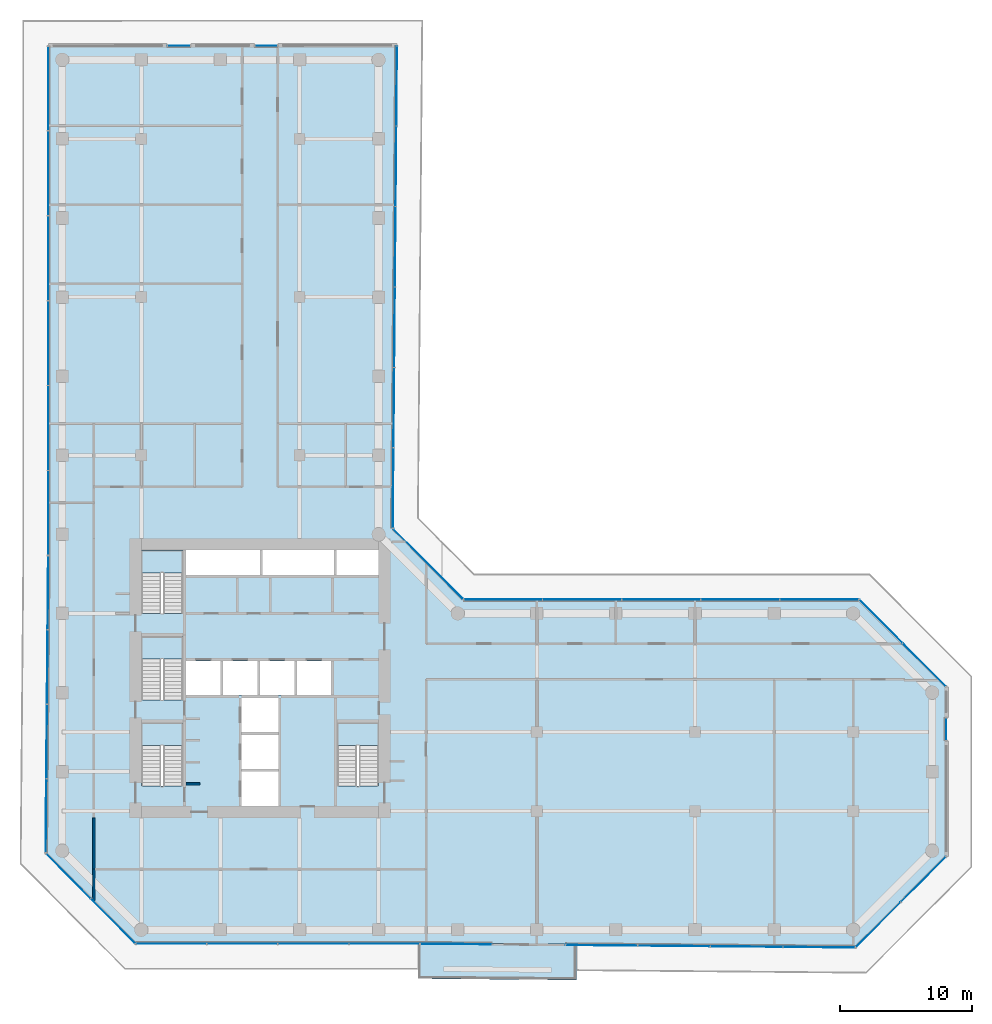
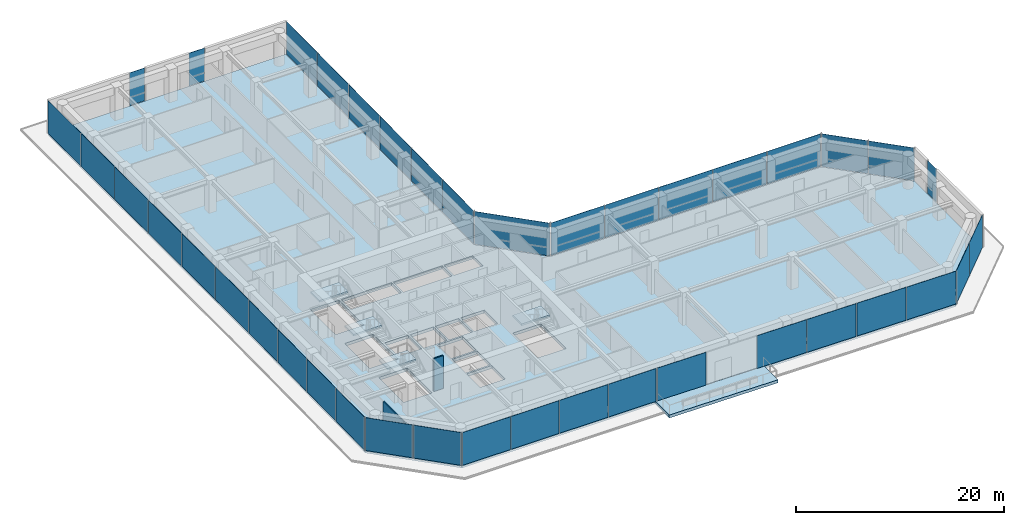
# One storey, part 22 of 29: 40 plates, 6 slabs, 3 walls, 18 elements without a shape of their own.
"""IFC4 building model written with IfcOpenShell, lengths in metres."""

from ifc_helpers import new_model, si_unit, direction, frame, frame_2d, origin, origin_2d, place, context, subcontext, project, spatial, polyline, rectangle, outline, extrude, material, layer, layer_set, type_object, element, aggregate, save


model = new_model("IFC4")

# Units and contexts
model_context = context("Model", 3, precision=1e-05, world=origin(), true_north=direction((0.0, 1.0)))
body_context = subcontext(model_context, "Body", "Model", "MODEL_VIEW")
ifc_project = project(units=[si_unit("LENGTHUNIT", "METRE"), si_unit("AREAUNIT", "SQUARE_METRE"), si_unit("VOLUMEUNIT", "CUBIC_METRE"), si_unit("PLANEANGLEUNIT", "RADIAN"), si_unit("MASSUNIT", "GRAM", prefix="KILO")], contexts=[model_context])

# Site, building, storey
site_placement = place(None, origin())
site = spatial("IfcSite", under=ifc_project, at=site_placement, CompositionType="ELEMENT")
building_placement = place(site_placement, origin())
building = spatial("IfcBuilding", under=site, at=building_placement, Name="Welwitschia Terrace Campus", CompositionType="ELEMENT")
storey_placement = place(building_placement, frame((0.0, 0.0, 50.0)))
storey = spatial("IfcBuildingStorey", under=building, at=storey_placement, Name="L11", CompositionType="ELEMENT", Elevation=50.0)

# Curtain wall, plates
ifc_material_1 = material(Name="Bronze anodised aluminium", Category="aluminium")
ifc_layer_1 = layer(ifc_material_1, 0.1201171875)
ifc_layer_set_1 = layer_set([ifc_layer_1], Name="Bronze anodised aluminium")
curtain_wall_type = type_object("IfcCurtainWallType", Name="Curtain wall CW2 tower 6000", PredefinedType="NOTDEFINED", material=ifc_layer_set_1)
curtain_wall_1_placement = place(storey_placement, origin())
curtain_wall_1 = element("IfcCurtainWall", 1, at=curtain_wall_1_placement, inside=storey, type_object=curtain_wall_type, Name="CW L11.0.0", PredefinedType="NOTDEFINED")
ifc_material_2 = material(Name="Tinted bronze-grey glass", Category="glass")
ifc_layer_2 = layer(ifc_material_2, 0.028076171875)
ifc_layer_set_2 = layer_set([ifc_layer_2], Name="Tinted bronze-grey glass")
plate_type = type_object("IfcPlateType", Name="Glass panel 28 tinted", PredefinedType="CURTAIN_PANEL", material=ifc_layer_set_2)
plate_1_placement = place(storey_placement, frame((0.45947265625, 0.08203125, 0.0), z_axis=(0.0, 0.0, 1.0), x_axis=(0.704477287326, -0.709726532998, 0.0)))
plate_1 = element("IfcPlate", 2, at=plate_1_placement, type_object=plate_type, Name="Panel L11.0.0.0", PredefinedType="CURTAIN_PANEL", context=body_context, shape_type="SweptSolid", body=[
    extrude(rectangle(XDim=4.748291015625, YDim=0.028076171875, at=origin_2d()), origin(), (0.0, 0.0, 1.0), 3.85009765625),
])
plate_2_placement = place(storey_placement, frame((3.846923828125, -3.330322265625, 0.0), z_axis=(0.0, 0.0, 1.0), x_axis=(0.704477287326, -0.709726532998, 0.0)))
plate_2 = element("IfcPlate", 3, at=plate_2_placement, type_object=plate_type, Name="Panel L11.0.0.1", PredefinedType="CURTAIN_PANEL", context=body_context, shape_type="SweptSolid", body=[
    extrude(rectangle(XDim=4.748291015625, YDim=0.028076171875, at=origin_2d()), origin(), (0.0, 0.0, 1.0), 3.85009765625),
])
aggregate(curtain_wall_1, [plate_1, plate_2])

curtain_wall_2_placement = place(storey_placement, origin())
curtain_wall_2 = element("IfcCurtainWall", 4, at=curtain_wall_2_placement, inside=storey, type_object=curtain_wall_type, Name="CW L11.1.0", PredefinedType="NOTDEFINED")
plate_3_placement = place(storey_placement, frame((8.27392578125, -5.05810546875, 0.0), z_axis=(0.0, 0.0, 1.0), x_axis=(1.0, 0.0, 0.0)))
plate_3 = element("IfcPlate", 5, at=plate_3_placement, type_object=plate_type, Name="Panel L11.1.0.0", PredefinedType="CURTAIN_PANEL", context=body_context, shape_type="SweptSolid", body=[
    extrude(rectangle(XDim=5.3046875, YDim=0.028076171875, at=origin_2d()), origin(), (0.0, 0.0, 1.0), 3.85009765625),
])
plate_4_placement = place(storey_placement, frame((13.65380859375, -5.05810546875, 0.0), z_axis=(0.0, 0.0, 1.0), x_axis=(1.0, 0.0, 0.0)))
plate_4 = element("IfcPlate", 6, at=plate_4_placement, type_object=plate_type, Name="Panel L11.1.0.1", PredefinedType="CURTAIN_PANEL", context=body_context, shape_type="SweptSolid", body=[
    extrude(rectangle(XDim=5.334716796875, YDim=0.028076171875, at=origin_2d()), origin(), (0.0, 0.0, 1.0), 3.85009765625),
])
plate_5_placement = place(storey_placement, frame((19.04833984375, -5.05810546875, 0.0), z_axis=(0.0, 0.0, 1.0), x_axis=(1.0, 0.0, 0.0)))
plate_5 = element("IfcPlate", 7, at=plate_5_placement, type_object=plate_type, Name="Panel L11.1.0.2", PredefinedType="CURTAIN_PANEL", context=body_context, shape_type="SweptSolid", body=[
    extrude(rectangle(XDim=5.334716796875, YDim=0.028076171875, at=origin_2d()), origin(), (0.0, 0.0, 1.0), 3.85009765625),
])
plate_6_placement = place(storey_placement, frame((24.42822265625, -5.05810546875, 0.0), z_axis=(0.0, 0.0, 1.0), x_axis=(1.0, 0.0, 0.0)))
plate_6 = element("IfcPlate", 8, at=plate_6_placement, type_object=plate_type, Name="Panel L11.1.0.3", PredefinedType="CURTAIN_PANEL", context=body_context, shape_type="SweptSolid", body=[
    extrude(rectangle(XDim=5.3046875, YDim=0.028076171875, at=origin_2d()), origin(), (0.0, 0.0, 1.0), 3.85009765625),
])
aggregate(curtain_wall_2, [plate_3, plate_4, plate_5, plate_6])

# Curtain wall, plate
curtain_wall_3_placement = place(storey_placement, origin())
curtain_wall_3 = element("IfcCurtainWall", 9, at=curtain_wall_3_placement, inside=storey, type_object=curtain_wall_type, Name="CW L11.2.0", PredefinedType="NOTDEFINED")
plate_7_placement = place(storey_placement, frame((29.893798828125, -5.08203125, 0.0), z_axis=(0.0, 0.0, 1.0), x_axis=(0.999961923064, -0.008726535498, 0.0)))
plate_7 = element("IfcPlate", 10, at=plate_7_placement, type_object=plate_type, Name="Panel L11.2.0.0", PredefinedType="CURTAIN_PANEL", context=body_context, shape_type="SweptSolid", body=[
    extrude(rectangle(XDim=5.386962890625, YDim=0.028076171875, at=origin_2d()), origin(), (0.0, 0.0, 1.0), 3.85009765625),
])
aggregate(curtain_wall_3, [plate_7])

# Curtain wall, plates
curtain_wall_4_placement = place(storey_placement, origin())
curtain_wall_4 = element("IfcCurtainWall", 11, at=curtain_wall_4_placement, inside=storey, type_object=curtain_wall_type, Name="CW L11.2.2", PredefinedType="NOTDEFINED")
plate_8_placement = place(storey_placement, frame((40.92236328125, -5.17822265625, 0.0), z_axis=(0.0, 0.0, 1.0), x_axis=(0.999961923064, -0.008726535498, 0.0)))
plate_8 = element("IfcPlate", 12, at=plate_8_placement, type_object=plate_type, Name="Panel L11.2.2.0", PredefinedType="CURTAIN_PANEL", context=body_context, shape_type="SweptSolid", body=[
    extrude(rectangle(XDim=5.4169921875, YDim=0.028076171875, at=origin_2d()), origin(), (0.0, 0.0, 1.0), 3.85009765625),
])
plate_9_placement = place(storey_placement, frame((46.414306640625, -5.226318359375, 0.0), z_axis=(0.0, 0.0, 1.0), x_axis=(0.999961923064, -0.008726535498, 0.0)))
plate_9 = element("IfcPlate", 13, at=plate_9_placement, type_object=plate_type, Name="Panel L11.2.2.1", PredefinedType="CURTAIN_PANEL", context=body_context, shape_type="SweptSolid", body=[
    extrude(rectangle(XDim=5.447021484375, YDim=0.028076171875, at=origin_2d()), origin(), (0.0, 0.0, 1.0), 3.85009765625),
])
plate_10_placement = place(storey_placement, frame((51.921142578125, -5.274169921875, 0.0), z_axis=(0.0, 0.0, 1.0), x_axis=(0.999961923064, -0.008726535498, 0.0)))
plate_10 = element("IfcPlate", 14, at=plate_10_placement, type_object=plate_type, Name="Panel L11.2.2.2", PredefinedType="CURTAIN_PANEL", context=body_context, shape_type="SweptSolid", body=[
    extrude(rectangle(XDim=5.447021484375, YDim=0.028076171875, at=origin_2d()), origin(), (0.0, 0.0, 1.0), 3.85009765625),
])
plate_11_placement = place(storey_placement, frame((57.412841796875, -5.322265625, 0.0), z_axis=(0.0, 0.0, 1.0), x_axis=(0.999961923064, -0.008726535498, 0.0)))
plate_11 = element("IfcPlate", 15, at=plate_11_placement, type_object=plate_type, Name="Panel L11.2.2.3", PredefinedType="CURTAIN_PANEL", context=body_context, shape_type="SweptSolid", body=[
    extrude(rectangle(XDim=5.4169921875, YDim=0.028076171875, at=origin_2d()), origin(), (0.0, 0.0, 1.0), 3.85009765625),
])
aggregate(curtain_wall_4, [plate_8, plate_9, plate_10, plate_11])

curtain_wall_5_placement = place(storey_placement, origin())
curtain_wall_5 = element("IfcCurtainWall", 16, at=curtain_wall_5_placement, inside=storey, type_object=curtain_wall_type, Name="CW L11.3.0", PredefinedType="NOTDEFINED")
plate_12_placement = place(storey_placement, frame((61.9111328125, -3.608642578125, 0.0), z_axis=(0.0, 0.0, 1.0), x_axis=(0.705490732488, 0.708719144918, 0.0)))
plate_12 = element("IfcPlate", 17, at=plate_12_placement, type_object=plate_type, Name="Panel L11.3.0.0", PredefinedType="CURTAIN_PANEL", context=body_context, shape_type="SweptSolid", body=[
    extrude(rectangle(XDim=4.78369140625, YDim=0.028076171875, at=origin_2d()), origin(), (0.0, 0.0, 1.0), 3.85009765625),
])
plate_13_placement = place(storey_placement, frame((65.328125, -0.17578125, 0.0), z_axis=(0.0, 0.0, 1.0), x_axis=(0.705490732488, 0.708719144918, 0.0)))
plate_13 = element("IfcPlate", 18, at=plate_13_placement, type_object=plate_type, Name="Panel L11.3.0.1", PredefinedType="CURTAIN_PANEL", context=body_context, shape_type="SweptSolid", body=[
    extrude(rectangle(XDim=4.78369140625, YDim=0.028076171875, at=origin_2d()), origin(), (0.0, 0.0, 1.0), 3.85009765625),
])
aggregate(curtain_wall_5, [plate_12, plate_13])

# Curtain wall, plate
curtain_wall_6_placement = place(storey_placement, origin())
curtain_wall_6 = element("IfcCurtainWall", 19, at=curtain_wall_6_placement, inside=storey, type_object=curtain_wall_type, Name="CW L11.4.S0", PredefinedType="NOTDEFINED")
plate_14_placement = place(storey_placement, frame((67.05810546875, 11.21923828125, 0.0), z_axis=(0.0, 0.0, 1.0), x_axis=(0.0, 1.0, 0.0)))
plate_14 = element("IfcPlate", 20, at=plate_14_placement, type_object=plate_type, Name="Panel L11.4.S0.0", PredefinedType="CURTAIN_PANEL", context=body_context, shape_type="SweptSolid", body=[
    extrude(rectangle(XDim=1.679931640625, YDim=0.028076171875, at=origin_2d()), origin(), (0.0, 0.0, 1.0), 3.85009765625),
])
aggregate(curtain_wall_6, [plate_14])

# Curtain wall, plates
curtain_wall_7_placement = place(storey_placement, origin())
curtain_wall_7 = element("IfcCurtainWall", 21, at=curtain_wall_7_placement, inside=storey, type_object=curtain_wall_type, Name="CW L11.5.0", PredefinedType="NOTDEFINED")
plate_15_placement = place(storey_placement, frame((65.392333984375, 16.103759765625, 0.0), z_axis=(0.0, 0.0, 1.0), x_axis=(-0.707106781187, 0.707106781187, 0.0)))
plate_15 = element("IfcPlate", 22, at=plate_15_placement, type_object=plate_type, Name="Panel L11.5.0.0", PredefinedType="CURTAIN_PANEL", context=body_context, shape_type="SweptSolid", body=[
    extrude(rectangle(XDim=4.5908203125, YDim=0.028076171875, at=origin_2d()), origin(), (0.0, 0.0, 1.0), 3.85009765625),
])
plate_16_placement = place(storey_placement, frame((62.103759765625, 19.392333984375, 0.0), z_axis=(0.0, 0.0, 1.0), x_axis=(-0.707106781187, 0.707106781187, 0.0)))
plate_16 = element("IfcPlate", 23, at=plate_16_placement, type_object=plate_type, Name="Panel L11.5.0.1", PredefinedType="CURTAIN_PANEL", context=body_context, shape_type="SweptSolid", body=[
    extrude(rectangle(XDim=4.5908203125, YDim=0.028076171875, at=origin_2d()), origin(), (0.0, 0.0, 1.0), 3.85009765625),
])
aggregate(curtain_wall_7, [plate_15, plate_16])

curtain_wall_8_placement = place(storey_placement, origin())
curtain_wall_8 = element("IfcCurtainWall", 24, at=curtain_wall_8_placement, inside=storey, type_object=curtain_wall_type, Name="CW L11.6.0", PredefinedType="NOTDEFINED")
plate_17_placement = place(storey_placement, frame((57.42333984375, 21.05810546875, 0.0), z_axis=(0.0, 0.0, 1.0), x_axis=(-1.0, 0.0, 0.0)))
plate_17 = element("IfcPlate", 25, at=plate_17_placement, type_object=plate_type, Name="Panel L11.6.0.0", PredefinedType="CURTAIN_PANEL", context=body_context, shape_type="SweptSolid", body=[
    extrude(rectangle(XDim=5.909912109375, YDim=0.028076171875, at=origin_2d()), origin(), (0.0, 0.0, 1.0), 3.85009765625),
])
plate_18_placement = place(storey_placement, frame((51.438232421875, 21.05810546875, 0.0), z_axis=(0.0, 0.0, 1.0), x_axis=(-1.0, 0.0, 0.0)))
plate_18 = element("IfcPlate", 26, at=plate_18_placement, type_object=plate_type, Name="Panel L11.6.0.1", PredefinedType="CURTAIN_PANEL", context=body_context, shape_type="SweptSolid", body=[
    extrude(rectangle(XDim=5.93994140625, YDim=0.028076171875, at=origin_2d()), origin(), (0.0, 0.0, 1.0), 3.85009765625),
])
plate_19_placement = place(storey_placement, frame((45.438232421875, 21.05810546875, 0.0), z_axis=(0.0, 0.0, 1.0), x_axis=(-1.0, 0.0, 0.0)))
plate_19 = element("IfcPlate", 27, at=plate_19_placement, type_object=plate_type, Name="Panel L11.6.0.2", PredefinedType="CURTAIN_PANEL", context=body_context, shape_type="SweptSolid", body=[
    extrude(rectangle(XDim=5.93994140625, YDim=0.028076171875, at=origin_2d()), origin(), (0.0, 0.0, 1.0), 3.85009765625),
])
plate_20_placement = place(storey_placement, frame((39.438232421875, 21.05810546875, 0.0), z_axis=(0.0, 0.0, 1.0), x_axis=(-1.0, 0.0, 0.0)))
plate_20 = element("IfcPlate", 28, at=plate_20_placement, type_object=plate_type, Name="Panel L11.6.0.3", PredefinedType="CURTAIN_PANEL", context=body_context, shape_type="SweptSolid", body=[
    extrude(rectangle(XDim=5.93994140625, YDim=0.028076171875, at=origin_2d()), origin(), (0.0, 0.0, 1.0), 3.85009765625),
])
plate_21_placement = place(storey_placement, frame((33.453369140625, 21.05810546875, 0.0), z_axis=(0.0, 0.0, 1.0), x_axis=(-1.0, 0.0, 0.0)))
plate_21 = element("IfcPlate", 29, at=plate_21_placement, type_object=plate_type, Name="Panel L11.6.0.4", PredefinedType="CURTAIN_PANEL", context=body_context, shape_type="SweptSolid", body=[
    extrude(rectangle(XDim=5.909912109375, YDim=0.028076171875, at=origin_2d()), origin(), (0.0, 0.0, 1.0), 3.85009765625),
])
aggregate(curtain_wall_8, [plate_17, plate_18, plate_19, plate_20, plate_21])

# Curtain wall, plate
curtain_wall_9_placement = place(storey_placement, origin())
curtain_wall_9 = element("IfcCurtainWall", 30, at=curtain_wall_9_placement, inside=storey, type_object=curtain_wall_type, Name="CW L11.7.0", PredefinedType="NOTDEFINED")
plate_22_placement = place(storey_placement, frame((27.757568359375, 23.7578125, 0.0), z_axis=(0.0, 0.0, 1.0), x_axis=(-0.704596266715, 0.709608413797, 0.0)))
plate_22 = element("IfcPlate", 31, at=plate_22_placement, type_object=plate_type, Name="Panel L11.7.0.0", PredefinedType="CURTAIN_PANEL", context=body_context, shape_type="SweptSolid", body=[
    extrude(rectangle(XDim=7.4892578125, YDim=0.028076171875, at=origin_2d()), origin(), (0.0, 0.0, 1.0), 3.85009765625),
])
aggregate(curtain_wall_9, [plate_22])

# Curtain wall, plates
curtain_wall_10_placement = place(storey_placement, origin())
curtain_wall_10 = element("IfcCurtainWall", 32, at=curtain_wall_10_placement, inside=storey, type_object=curtain_wall_type, Name="CW L11.8.0", PredefinedType="NOTDEFINED")
plate_23_placement = place(storey_placement, frame((25.103515625, 29.524169921875, 0.0), z_axis=(0.0, 0.0, 1.0), x_axis=(0.008726535498, 0.999961923064, 0.0)))
plate_23 = element("IfcPlate", 33, at=plate_23_placement, type_object=plate_type, Name="Panel L11.8.0.0", PredefinedType="CURTAIN_PANEL", context=body_context, shape_type="SweptSolid", body=[
    extrude(rectangle(XDim=6.013427734375, YDim=0.028076171875, at=origin_2d()), origin(), (0.0, 0.0, 1.0), 3.85009765625),
])
plate_24_placement = place(storey_placement, frame((25.15673828125, 35.6123046875, 0.0), z_axis=(0.0, 0.0, 1.0), x_axis=(0.008726535498, 0.999961923064, 0.0)))
plate_24 = element("IfcPlate", 34, at=plate_24_placement, type_object=plate_type, Name="Panel L11.8.0.1", PredefinedType="CURTAIN_PANEL", context=body_context, shape_type="SweptSolid", body=[
    extrude(rectangle(XDim=6.04345703125, YDim=0.028076171875, at=origin_2d()), origin(), (0.0, 0.0, 1.0), 3.85009765625),
])
plate_25_placement = place(storey_placement, frame((25.2099609375, 41.71533203125, 0.0), z_axis=(0.0, 0.0, 1.0), x_axis=(0.008726535498, 0.999961923064, 0.0)))
plate_25 = element("IfcPlate", 35, at=plate_25_placement, type_object=plate_type, Name="Panel L11.8.0.2", PredefinedType="CURTAIN_PANEL", context=body_context, shape_type="SweptSolid", body=[
    extrude(rectangle(XDim=6.04345703125, YDim=0.028076171875, at=origin_2d()), origin(), (0.0, 0.0, 1.0), 3.85009765625),
])
plate_26_placement = place(storey_placement, frame((25.26318359375, 47.818603515625, 0.0), z_axis=(0.0, 0.0, 1.0), x_axis=(0.008726535498, 0.999961923064, 0.0)))
plate_26 = element("IfcPlate", 36, at=plate_26_placement, type_object=plate_type, Name="Panel L11.8.0.3", PredefinedType="CURTAIN_PANEL", context=body_context, shape_type="SweptSolid", body=[
    extrude(rectangle(XDim=6.04345703125, YDim=0.028076171875, at=origin_2d()), origin(), (0.0, 0.0, 1.0), 3.85009765625),
])
plate_27_placement = place(storey_placement, frame((25.316650390625, 53.921630859375, 0.0), z_axis=(0.0, 0.0, 1.0), x_axis=(0.008726535498, 0.999961923064, 0.0)))
plate_27 = element("IfcPlate", 37, at=plate_27_placement, type_object=plate_type, Name="Panel L11.8.0.4", PredefinedType="CURTAIN_PANEL", context=body_context, shape_type="SweptSolid", body=[
    extrude(rectangle(XDim=6.04345703125, YDim=0.028076171875, at=origin_2d()), origin(), (0.0, 0.0, 1.0), 3.85009765625),
])
plate_28_placement = place(storey_placement, frame((25.36962890625, 60.009765625, 0.0), z_axis=(0.0, 0.0, 1.0), x_axis=(0.008726535498, 0.999961923064, 0.0)))
plate_28 = element("IfcPlate", 38, at=plate_28_placement, type_object=plate_type, Name="Panel L11.8.0.5", PredefinedType="CURTAIN_PANEL", context=body_context, shape_type="SweptSolid", body=[
    extrude(rectangle(XDim=6.013427734375, YDim=0.028076171875, at=origin_2d()), origin(), (0.0, 0.0, 1.0), 3.85009765625),
])
aggregate(curtain_wall_10, [plate_23, plate_24, plate_25, plate_26, plate_27, plate_28])

# Curtain wall, plate
curtain_wall_11_placement = place(storey_placement, origin())
curtain_wall_11 = element("IfcCurtainWall", 39, at=curtain_wall_11_placement, inside=storey, type_object=curtain_wall_type, Name="CW L11.9.S0", PredefinedType="NOTDEFINED")
plate_29_placement = place(storey_placement, frame((15.47607421875, 63.069580078125, 0.0), z_axis=(0.0, 0.0, 1.0), x_axis=(-0.999999758035, -0.000695650502, 0.0)))
plate_29 = element("IfcPlate", 40, at=plate_29_placement, type_object=plate_type, Name="Panel L11.9.S0.0", PredefinedType="CURTAIN_PANEL", context=body_context, shape_type="SweptSolid", body=[
    extrude(rectangle(XDim=1.679931640625, YDim=0.028076171875, at=origin_2d()), origin(), (0.0, 0.0, 1.0), 3.85009765625),
])
aggregate(curtain_wall_11, [plate_29])

curtain_wall_12_placement = place(storey_placement, origin())
curtain_wall_12 = element("IfcCurtainWall", 41, at=curtain_wall_12_placement, inside=storey, type_object=curtain_wall_type, Name="CW L11.9.S1", PredefinedType="NOTDEFINED")
plate_30_placement = place(storey_placement, frame((8.8623046875, 63.06494140625, 0.0), z_axis=(0.0, 0.0, 1.0), x_axis=(-0.999999758035, -0.000695650502, 0.0)))
plate_30 = element("IfcPlate", 42, at=plate_30_placement, type_object=plate_type, Name="Panel L11.9.S1.0", PredefinedType="CURTAIN_PANEL", context=body_context, shape_type="SweptSolid", body=[
    extrude(rectangle(XDim=1.679931640625, YDim=0.028076171875, at=origin_2d()), origin(), (0.0, 0.0, 1.0), 3.85009765625),
])
aggregate(curtain_wall_12, [plate_30])

# Curtain wall, plates
curtain_wall_13_placement = place(storey_placement, origin())
curtain_wall_13 = element("IfcCurtainWall", 43, at=curtain_wall_13_placement, inside=storey, type_object=curtain_wall_type, Name="CW L11.10.0", PredefinedType="NOTDEFINED")
plate_31_placement = place(storey_placement, frame((-1.05810546875, 59.822265625, 0.0), z_axis=(0.0, 0.0, 1.0), x_axis=(0.0, -1.0, 0.0)))
plate_31 = element("IfcPlate", 44, at=plate_31_placement, type_object=plate_type, Name="Panel L11.10.0.0", PredefinedType="CURTAIN_PANEL", context=body_context, shape_type="SweptSolid", body=[
    extrude(rectangle(XDim=6.3515625, YDim=0.028076171875, at=origin_2d()), origin(), (0.0, 0.0, 1.0), 3.85009765625),
])
plate_32_placement = place(storey_placement, frame((-1.05810546875, 53.395751953125, 0.0), z_axis=(0.0, 0.0, 1.0), x_axis=(0.0, -1.0, 0.0)))
plate_32 = element("IfcPlate", 45, at=plate_32_placement, type_object=plate_type, Name="Panel L11.10.0.1", PredefinedType="CURTAIN_PANEL", context=body_context, shape_type="SweptSolid", body=[
    extrude(rectangle(XDim=6.381591796875, YDim=0.028076171875, at=origin_2d()), origin(), (0.0, 0.0, 1.0), 3.85009765625),
])
plate_33_placement = place(storey_placement, frame((-1.05810546875, 46.9541015625, 0.0), z_axis=(0.0, 0.0, 1.0), x_axis=(0.0, -1.0, 0.0)))
plate_33 = element("IfcPlate", 46, at=plate_33_placement, type_object=plate_type, Name="Panel L11.10.0.2", PredefinedType="CURTAIN_PANEL", context=body_context, shape_type="SweptSolid", body=[
    extrude(rectangle(XDim=6.381591796875, YDim=0.028076171875, at=origin_2d()), origin(), (0.0, 0.0, 1.0), 3.85009765625),
])
plate_34_placement = place(storey_placement, frame((-1.05810546875, 40.512451171875, 0.0), z_axis=(0.0, 0.0, 1.0), x_axis=(0.0, -1.0, 0.0)))
plate_34 = element("IfcPlate", 47, at=plate_34_placement, type_object=plate_type, Name="Panel L11.10.0.3", PredefinedType="CURTAIN_PANEL", context=body_context, shape_type="SweptSolid", body=[
    extrude(rectangle(XDim=6.381591796875, YDim=0.028076171875, at=origin_2d()), origin(), (0.0, 0.0, 1.0), 3.85009765625),
])
plate_35_placement = place(storey_placement, frame((-1.05810546875, 34.071044921875, 0.0), z_axis=(0.0, 0.0, 1.0), x_axis=(0.0, -1.0, 0.0)))
plate_35 = element("IfcPlate", 48, at=plate_35_placement, type_object=plate_type, Name="Panel L11.10.0.4", PredefinedType="CURTAIN_PANEL", context=body_context, shape_type="SweptSolid", body=[
    extrude(rectangle(XDim=6.381591796875, YDim=0.028076171875, at=origin_2d()), origin(), (0.0, 0.0, 1.0), 3.85009765625),
])
plate_36_placement = place(storey_placement, frame((-1.05810546875, 27.64453125, 0.0), z_axis=(0.0, 0.0, 1.0), x_axis=(0.0, -1.0, 0.0)))
plate_36 = element("IfcPlate", 49, at=plate_36_placement, type_object=plate_type, Name="Panel L11.10.0.5", PredefinedType="CURTAIN_PANEL", context=body_context, shape_type="SweptSolid", body=[
    extrude(rectangle(XDim=6.3515625, YDim=0.028076171875, at=origin_2d()), origin(), (0.0, 0.0, 1.0), 3.85009765625),
])
aggregate(curtain_wall_13, [plate_31, plate_32, plate_33, plate_34, plate_35, plate_36])

curtain_wall_14_placement = place(storey_placement, origin())
curtain_wall_14 = element("IfcCurtainWall", 50, at=curtain_wall_14_placement, inside=storey, type_object=curtain_wall_type, Name="CW L11.11.0", PredefinedType="NOTDEFINED")
plate_37_placement = place(storey_placement, frame((-1.082763671875, 21.56884765625, 0.0), z_axis=(0.0, 0.0, 1.0), x_axis=(-0.008726535498, -0.999961923064, 0.0)))
plate_37 = element("IfcPlate", 51, at=plate_37_placement, type_object=plate_type, Name="Panel L11.11.0.0", PredefinedType="CURTAIN_PANEL", context=body_context, shape_type="SweptSolid", body=[
    extrude(rectangle(XDim=5.56005859375, YDim=0.028076171875, at=origin_2d()), origin(), (0.0, 0.0, 1.0), 3.85009765625),
])
plate_38_placement = place(storey_placement, frame((-1.1318359375, 15.93408203125, 0.0), z_axis=(0.0, 0.0, 1.0), x_axis=(-0.008726535498, -0.999961923064, 0.0)))
plate_38 = element("IfcPlate", 52, at=plate_38_placement, type_object=plate_type, Name="Panel L11.11.0.1", PredefinedType="CURTAIN_PANEL", context=body_context, shape_type="SweptSolid", body=[
    extrude(rectangle(XDim=5.590087890625, YDim=0.028076171875, at=origin_2d()), origin(), (0.0, 0.0, 1.0), 3.85009765625),
])
plate_39_placement = place(storey_placement, frame((-1.18115234375, 10.2841796875, 0.0), z_axis=(0.0, 0.0, 1.0), x_axis=(-0.008726535498, -0.999961923064, 0.0)))
plate_39 = element("IfcPlate", 53, at=plate_39_placement, type_object=plate_type, Name="Panel L11.11.0.2", PredefinedType="CURTAIN_PANEL", context=body_context, shape_type="SweptSolid", body=[
    extrude(rectangle(XDim=5.590087890625, YDim=0.028076171875, at=origin_2d()), origin(), (0.0, 0.0, 1.0), 3.85009765625),
])
plate_40_placement = place(storey_placement, frame((-1.23046875, 4.6494140625, 0.0), z_axis=(0.0, 0.0, 1.0), x_axis=(-0.008726535498, -0.999961923064, 0.0)))
plate_40 = element("IfcPlate", 54, at=plate_40_placement, type_object=plate_type, Name="Panel L11.11.0.3", PredefinedType="CURTAIN_PANEL", context=body_context, shape_type="SweptSolid", body=[
    extrude(rectangle(XDim=5.56005859375, YDim=0.028076171875, at=origin_2d()), origin(), (0.0, 0.0, 1.0), 3.85009765625),
])
aggregate(curtain_wall_14, [plate_37, plate_38, plate_39, plate_40])

# Stair, slab
ifc_material_3 = material(Name="Concrete C40/50", Category="concrete")
stair_type = type_object("IfcStairType", Name="Stair 24R 175 W1500", PredefinedType="HALF_TURN_STAIR", material=ifc_material_3)
stair_1_placement = place(storey_placement, origin())
stair_1 = element("IfcStair", 55, at=stair_1_placement, inside=storey, type_object=stair_type, Name="L11 Exit stair S1", PredefinedType="HALF_TURN_STAIR")
ifc_material_4 = material(Name="Concrete C40/50", Category="concrete")
ifc_layer_3 = layer(ifc_material_4, 0.199951171875)
ifc_layer_set_3 = layer_set([ifc_layer_3], Name="Concrete C40/50")
slab_type_1 = type_object("IfcSlabType", Name="Stair landing RC", PredefinedType="LANDING", material=ifc_layer_set_3)
slab_1_placement = place(storey_placement, frame((0.0, 0.0, 1.89990234375)))
slab_1 = element("IfcSlab", 56, at=slab_1_placement, type_object=slab_type_1, Name="S1 landing 1", PredefinedType="LANDING", context=body_context, shape_type="SweptSolid", body=[
    extrude(outline(polyline([(9.14990234375, 9.97998046875), (9.14990234375, 11.699951171875), (6.0, 11.699951171875), (6.0, 9.97998046875), (9.14990234375, 9.97998046875)])), origin(), (0.0, 0.0, 1.0), 0.2001953125),
])
aggregate(stair_1, [slab_1])

stair_2_placement = place(storey_placement, origin())
stair_2 = element("IfcStair", 57, at=stair_2_placement, inside=storey, type_object=stair_type, Name="L11 Exit stair S3", PredefinedType="HALF_TURN_STAIR")
slab_2_placement = place(storey_placement, frame((0.0, 0.0, 1.89990234375)))
slab_2 = element("IfcSlab", 58, at=slab_2_placement, type_object=slab_type_1, Name="S3 landing 1", PredefinedType="LANDING", context=body_context, shape_type="SweptSolid", body=[
    extrude(outline(polyline([(9.14990234375, 16.530029296875), (9.14990234375, 18.25), (6.0, 18.25), (6.0, 16.530029296875), (9.14990234375, 16.530029296875)])), origin(), (0.0, 0.0, 1.0), 0.2001953125),
])
aggregate(stair_2, [slab_2])

stair_3_placement = place(storey_placement, origin())
stair_3 = element("IfcStair", 59, at=stair_3_placement, inside=storey, type_object=stair_type, Name="L11 Exit stair S4", PredefinedType="HALF_TURN_STAIR")
slab_3_placement = place(storey_placement, frame((0.0, 0.0, 1.89990234375)))
slab_3 = element("IfcSlab", 60, at=slab_3_placement, type_object=slab_type_1, Name="S4 landing 1", PredefinedType="LANDING", context=body_context, shape_type="SweptSolid", body=[
    extrude(outline(polyline([(9.14990234375, 23.080078125), (9.14990234375, 24.800048828125), (6.0, 24.800048828125), (6.0, 23.080078125), (9.14990234375, 23.080078125)])), origin(), (0.0, 0.0, 1.0), 0.2001953125),
])
aggregate(stair_3, [slab_3])

stair_4_placement = place(storey_placement, origin())
stair_4 = element("IfcStair", 61, at=stair_4_placement, inside=storey, type_object=stair_type, Name="L11 Exit stair S2", PredefinedType="HALF_TURN_STAIR")
slab_4_placement = place(storey_placement, frame((0.0, 0.0, 1.89990234375)))
slab_4 = element("IfcSlab", 62, at=slab_4_placement, type_object=slab_type_1, Name="S2 landing 1", PredefinedType="LANDING", context=body_context, shape_type="SweptSolid", body=[
    extrude(outline(polyline([(24.0, 9.97998046875), (24.0, 11.699951171875), (20.85009765625, 11.699951171875), (20.85009765625, 9.97998046875), (24.0, 9.97998046875)])), origin(), (0.0, 0.0, 1.0), 0.2001953125),
])
aggregate(stair_4, [slab_4])

# Slabs
ifc_material_5 = material(Name="Concrete C40/50", Category="concrete")
ifc_layer_4 = layer(ifc_material_5, 0.35009765625)
ifc_layer_set_4 = layer_set([ifc_layer_4], Name="Concrete C40/50")
slab_type_2 = type_object("IfcSlabType", Name="Suspended floor slab 350", PredefinedType="FLOOR", material=ifc_layer_set_4)
slab_5_placement = place(storey_placement, frame((0.0, 0.0, -0.35009765625)))
element("IfcSlab", 63, at=slab_5_placement, inside=storey, type_object=slab_type_2, Name="Floor slab L11", PredefinedType="FLOOR", context=body_context, shape_type="SweptSolid", body=[
    extrude(outline(polyline([(-1.0, 63.0), (25.337890625, 63.018310546875), (25.0185546875, 26.433837890625), (30.414306640625, 21.0), (60.414306640625, 21.0), (67.0, 14.414306640625), (67.0, 1.585693359375), (60.157470703125, -5.2880859375), (39.001953125, -5.103515625), (39.002197265625, -5.088623046875), (27.140869140625, -4.985107421875), (27.140625, -4.985107421875), (26.998046875, -4.985107421875), (26.998046875, -5.0), (5.585693359375, -5.0), (-1.197021484375, 1.833251953125), (-1.0, 24.408447265625), (-1.0, 63.0)]), holes=[polyline([(13.60009765625, 5.39990234375), (16.39990234375, 5.39990234375), (16.39990234375, 8.0), (13.60009765625, 8.0), (13.60009765625, 5.39990234375)]), polyline([(6.0, 11.699951171875), (6.0, 6.902099609375), (9.14990234375, 6.902099609375), (9.14990234375, 11.699951171875), (6.0, 11.699951171875)]), polyline([(9.39990234375, 16.39990234375), (9.39990234375, 13.800048828125), (12.0, 13.800048828125), (12.0, 16.39990234375), (9.39990234375, 16.39990234375)]), polyline([(12.199951171875, 16.39990234375), (12.199951171875, 13.800048828125), (14.800048828125, 13.800048828125), (14.800048828125, 16.39990234375), (12.199951171875, 16.39990234375)]), polyline([(6.0, 18.25), (6.0, 13.451904296875), (9.14990234375, 13.451904296875), (9.14990234375, 18.25), (6.0, 18.25)]), polyline([(6.0, 24.800048828125), (6.0, 20.001953125), (9.14990234375, 20.001953125), (9.14990234375, 24.800048828125), (6.0, 24.800048828125)]), polyline([(9.39990234375, 24.800048828125), (9.39990234375, 22.89990234375), (15.0, 22.89990234375), (15.0, 24.800048828125), (9.39990234375, 24.800048828125)]), polyline([(20.85009765625, 6.902099609375), (24.0, 6.902099609375), (24.0, 11.699951171875), (20.85009765625, 11.699951171875), (20.85009765625, 6.902099609375)]), polyline([(13.60009765625, 10.800048828125), (13.60009765625, 8.199951171875), (16.39990234375, 8.199951171875), (16.39990234375, 10.800048828125), (13.60009765625, 10.800048828125)]), polyline([(13.60009765625, 13.60009765625), (13.60009765625, 11.0), (16.39990234375, 11.0), (16.39990234375, 13.60009765625), (13.60009765625, 13.60009765625)]), polyline([(15.0, 16.39990234375), (15.0, 13.800048828125), (17.60009765625, 13.800048828125), (17.60009765625, 16.39990234375), (15.0, 16.39990234375)]), polyline([(17.800048828125, 16.39990234375), (17.800048828125, 13.800048828125), (20.39990234375, 13.800048828125), (20.39990234375, 16.39990234375), (17.800048828125, 16.39990234375)]), polyline([(15.199951171875, 24.800048828125), (15.199951171875, 22.89990234375), (20.60009765625, 22.89990234375), (20.60009765625, 24.800048828125), (15.199951171875, 24.800048828125)]), polyline([(20.800048828125, 24.800048828125), (20.800048828125, 22.89990234375), (24.0, 22.89990234375), (24.0, 24.800048828125), (20.800048828125, 24.800048828125)])]), origin(), (0.0, 0.0, 1.0), 0.35009765625),
])
ifc_material_6 = material(Name="Concrete C40/50", Category="concrete")
ifc_layer_5 = layer(ifc_material_6, 0.35009765625)
ifc_layer_set_5 = layer_set([ifc_layer_5], Name="Concrete C40/50")
slab_type_3 = type_object("IfcSlabType", Name="Terrace slab 350", PredefinedType="FLOOR", material=ifc_layer_set_5)
slab_6_placement = place(storey_placement, frame((0.0, 0.0, -0.35009765625)))
element("IfcSlab", 64, at=slab_6_placement, inside=storey, type_object=slab_type_3, Name="Terrace slab", PredefinedType="FLOOR", context=body_context, shape_type="SweptSolid", body=[
    extrude(outline(polyline([(39.0, -7.8037109375), (27.0, -7.699951171875), (27.0, -5.014892578125), (27.140625, -5.014892578125), (39.0, -5.118408203125), (39.0, -7.8037109375)])), origin(), (0.0, 0.0, 1.0), 0.35009765625),
])

# Walls
ifc_material_7 = material(Name="Concrete C50/60", Category="concrete")
ifc_layer_6 = layer(ifc_material_7, 0.14990234375)
ifc_layer_set_6 = layer_set([ifc_layer_6], Name="Concrete C50/60")
wall_type_1 = type_object("IfcWallType", Name="Core wall 150 Concrete C50/60", PredefinedType="SHEAR", material=ifc_layer_set_6)
wall_1_placement = place(storey_placement, frame((9.39990234375, 7.074951171875, 0.0), z_axis=(0.0, 0.0, 1.0), x_axis=(1.0, 0.0, 0.0)))
element("IfcWall", 65, at=wall_1_placement, inside=storey, type_object=wall_type_1, Name="Core wall", PredefinedType="SHEAR", context=body_context, shape_type="SweptSolid", body=[
    extrude(rectangle(XDim=1.050048828125, YDim=0.14990234375, at=frame_2d((0.52490234375, 0.0))), origin(), (0.0, 0.0, 1.0), 3.85009765625),
])
ifc_material_8 = material(Name="Gypsum board on steel studs", Category="steel")
ifc_layer_7 = layer(ifc_material_8, 0.14990234375)
ifc_layer_set_7 = layer_set([ifc_layer_7], Name="Gypsum board on steel studs")
wall_type_2 = type_object("IfcWallType", Name="Corridor partition 150 EI 30", PredefinedType="PARTITIONING", material=ifc_layer_set_7)
wall_2_placement = place(storey_placement, frame((2.39990234375, -1.800048828125, 0.0), z_axis=(0.0, 0.0, 1.0), x_axis=(0.0, 1.0, 0.0)))
element("IfcWall", 66, at=wall_2_placement, inside=storey, type_object=wall_type_2, Name="Partition", PredefinedType="PARTITIONING", context=body_context, shape_type="SweptSolid", body=[
    extrude(rectangle(XDim=2.400146484375, YDim=0.14990234375, at=frame_2d((1.2001953125, 0.0))), origin(), (0.0, 0.0, 1.0), 2.830078125),
])
wall_3_placement = place(storey_placement, frame((2.39990234375, 0.60009765625, 0.0), z_axis=(0.0, 0.0, 1.0), x_axis=(0.0, 1.0, 0.0)))
element("IfcWall", 67, at=wall_3_placement, inside=storey, type_object=wall_type_2, Name="Partition", PredefinedType="PARTITIONING", context=body_context, shape_type="SweptSolid", body=[
    extrude(rectangle(XDim=3.89990234375, YDim=0.14990234375, at=frame_2d((1.949951171875, 0.0))), origin(), (0.0, 0.0, 1.0), 2.830078125),
])

save(model, "model.ifc")
